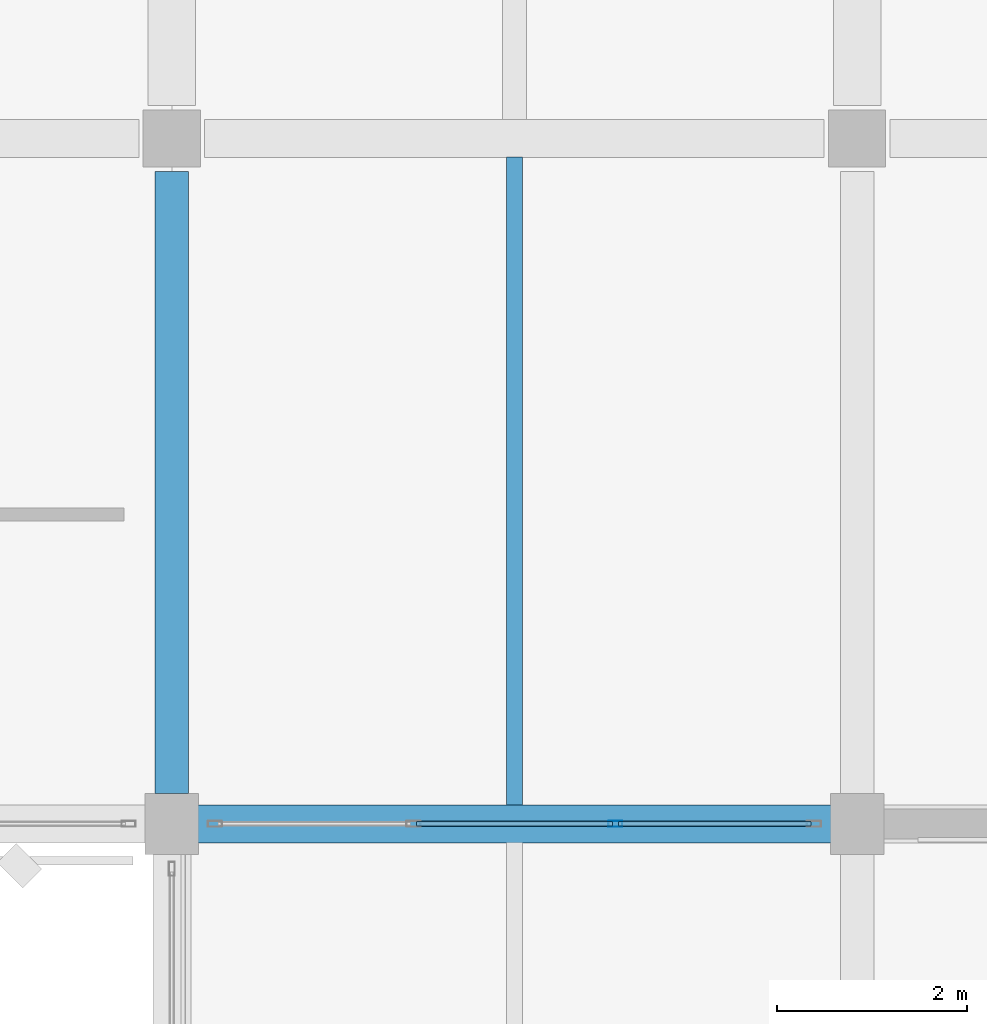
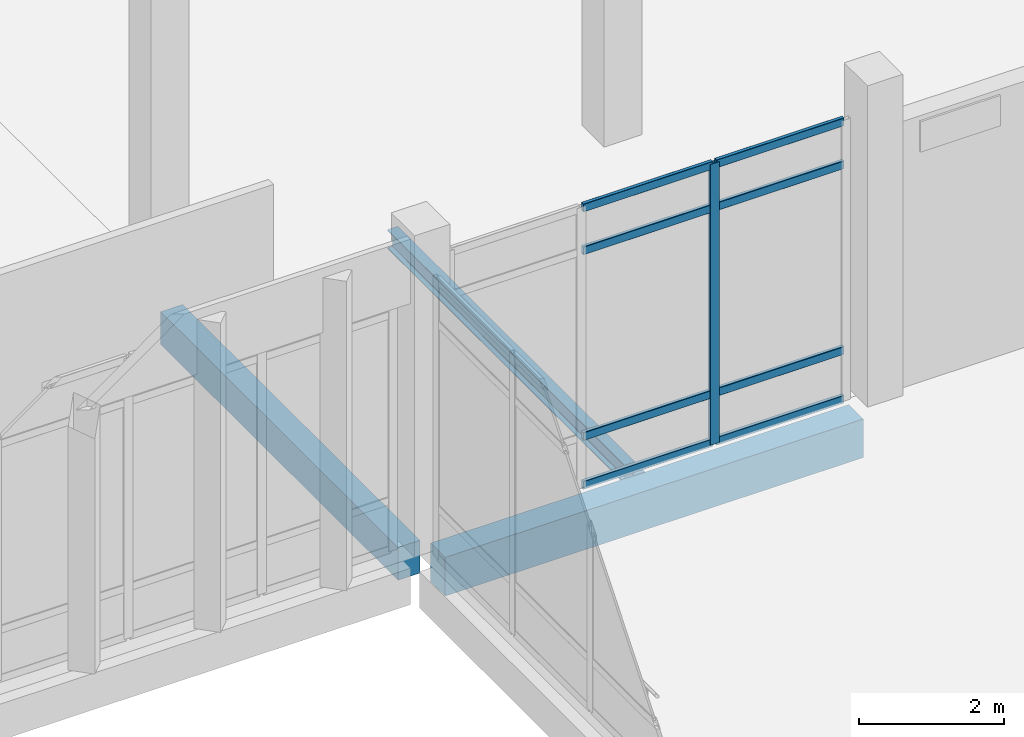
# One storey, part 91 of 180: 9 members, 3 beams, 1 element without a shape of its own.
"""IFC4 building model written with IfcOpenShell, lengths in metres."""

import ifcopenshell
import ifcopenshell.guid

model = None  # the IFC model being written
_history = None  # IfcOwnerHistory: only IFC2X3 demands one
_inside = {}  # id of a spatial element -> (the spatial element, [elements in it])
_under = {}  # id of a project, library or spatial element -> (it, [spatial elements below it])
_declared = {}  # id of a project -> (the project, [libraries it declares])
_typed = {}  # id of a type object -> (the type object, [elements of that type])
_made_of = {}  # id of a material, layer set ... -> (it, [elements and type objects made of it])


def new_model(schema):
    """Start an empty IFC model of exactly this schema.

    Asked for "IFC4X3", IfcOpenShell would pick the latest addendum, in which some entities
    have other attributes; the version numbers below select the first issue.
    IFC2X3 requires an IfcOwnerHistory on every rooted entity: one is made here for all.
    """
    global model, _history
    if schema == "IFC4X3":
        model = ifcopenshell.file(schema_version=(4, 3, 0, 0))
    else:
        model = ifcopenshell.file(schema=schema)
    _inside.clear()
    _under.clear()
    _declared.clear()
    _typed.clear()
    _made_of.clear()
    _history = None
    if model.schema == "IFC2X3":
        org = make("IfcOrganization", Name="unknown")
        user = make(
            "IfcPersonAndOrganization",
            ThePerson=make("IfcPerson", FamilyName="unknown"),
            TheOrganization=org,
        )
        app = make(
            "IfcApplication",
            ApplicationDeveloper=org,
            Version="unknown",
            ApplicationFullName="unknown",
            ApplicationIdentifier="unknown",
        )
        _history = make(
            "IfcOwnerHistory",
            OwningUser=user,
            OwningApplication=app,
            ChangeAction="ADDED",
            CreationDate=0,
        )
    return model


def make(cls, **values):
    """One entity of the class cls with the attributes given. An attribute that is None is left unset."""
    return model.create_entity(
        cls, **{name: value for name, value in values.items() if value is not None}
    )


def rooted(cls, **values):
    """An entity with a GlobalId (a new one), such as an element, a storey or a relation."""
    return make(cls, GlobalId=ifcopenshell.guid.new(), OwnerHistory=_history, **values)


def si_unit(unit_type, name, prefix=None):
    """IfcSIUnit, for example si_unit("LENGTHUNIT", "METRE", prefix="MILLI")."""
    return make("IfcSIUnit", UnitType=unit_type, Prefix=prefix, Name=name)


def assignment(units):
    """IfcUnitAssignment: the units of a project."""
    return None if units is None else make("IfcUnitAssignment", Units=units)


def point(xyz):
    """IfcCartesianPoint."""
    return None if xyz is None else make("IfcCartesianPoint", Coordinates=xyz)


def direction(xyz):
    """IfcDirection."""
    return None if xyz is None else make("IfcDirection", DirectionRatios=xyz)


def frame(location, z_axis=None, x_axis=None):
    """IfcAxis2Placement3D, a coordinate frame: its origin and axes. An axis left out is left unset."""
    return make(
        "IfcAxis2Placement3D",
        Location=point(location),
        Axis=direction(z_axis),
        RefDirection=direction(x_axis),
    )


def frame_2d(location, x_axis=None):
    """IfcAxis2Placement2D, a coordinate frame in the plane: its origin and x axis."""
    return make(
        "IfcAxis2Placement2D", Location=point(location), RefDirection=direction(x_axis)
    )


def origin():
    """The frame at (0, 0, 0) with its axes left unset."""
    return frame((0.0, 0.0, 0.0))


def origin_2d():
    """The frame at (0, 0) in the plane with its x axis left unset."""
    return frame_2d((0.0, 0.0))


def place(relative_to, where):
    """IfcLocalPlacement: puts the frame where relative to a parent placement (None: the world)."""
    return make(
        "IfcLocalPlacement", PlacementRelTo=relative_to, RelativePlacement=where
    )


def context(
    kind, dimensions, precision=None, world=None, true_north=None, identifier=None
):
    """IfcGeometricRepresentationContext, for example the 3D "Model" context."""
    return make(
        "IfcGeometricRepresentationContext",
        ContextIdentifier=identifier,
        ContextType=kind,
        CoordinateSpaceDimension=dimensions,
        Precision=precision,
        WorldCoordinateSystem=world,
        TrueNorth=true_north,
    )


def subcontext(parent, identifier, kind, view, scale=None):
    """IfcGeometricRepresentationSubContext, for example "Body" below "Model"."""
    return make(
        "IfcGeometricRepresentationSubContext",
        ContextIdentifier=identifier,
        ContextType=kind,
        ParentContext=parent,
        TargetScale=scale,
        TargetView=view,
    )


def project(units=None, contexts=None):
    """IfcProject with its units and contexts."""
    return rooted(
        "IfcProject",
        Name="project",
        RepresentationContexts=contexts,
        UnitsInContext=assignment(units),
    )


def spatial(cls, under=None, at=None, **own):
    """A site, building, storey or space (cls), placed at a placement, below another one or the project."""
    s = rooted(cls, ObjectPlacement=at, **own)
    if under is not None:
        _under.setdefault(under.id(), (under, []))[1].append(s)
    return s


def profile(cls, at=None, kind="AREA", **sizes):
    """A parametric profile (cls). Its sizes go by their IFC names, for example OverallWidth=200.0."""
    return make(cls, ProfileType=kind, Position=at, **sizes)


def rectangle(**sizes):
    """IfcRectangleProfileDef."""
    return profile("IfcRectangleProfileDef", **sizes)


def hollow_rectangle(**sizes):
    """IfcRectangleHollowProfileDef."""
    return profile("IfcRectangleHollowProfileDef", **sizes)


def i_section(**sizes):
    """IfcIShapeProfileDef."""
    return profile("IfcIShapeProfileDef", **sizes)


def extrude(swept, where, along, depth):
    """IfcExtrudedAreaSolid: the profile swept, set in the frame where, extruded along a direction by depth."""
    return make(
        "IfcExtrudedAreaSolid",
        SweptArea=swept,
        Position=where,
        ExtrudedDirection=direction(along),
        Depth=depth,
    )


def shape(context_of_items, identifier, shape_type, items):
    """IfcShapeRepresentation: the items that make up one representation, for example the "Body"."""
    return make(
        "IfcShapeRepresentation",
        ContextOfItems=context_of_items,
        RepresentationIdentifier=identifier,
        RepresentationType=shape_type,
        Items=items,
    )


def material(Name=None, Category=None):
    """IfcMaterial."""
    return make("IfcMaterial", Name=Name, Category=Category)


def material_profile(
    of_material, cross_section, Name=None, Category=None, Priority=None
):
    """IfcMaterialProfile: a cross section and its material."""
    return make(
        "IfcMaterialProfile",
        Name=Name,
        Material=of_material,
        Profile=cross_section,
        Priority=Priority,
        Category=Category,
    )


def profile_set(profiles, Name=None, composite=None):
    """IfcMaterialProfileSet."""
    return make(
        "IfcMaterialProfileSet",
        Name=Name,
        MaterialProfiles=profiles,
        CompositeProfile=composite,
    )


def made_of(thing, what):
    """Note that an element or type object is made of a material, layer set ...; save() writes the relation."""
    if what is not None:
        _made_of.setdefault(what.id(), (what, []))[1].append(thing)
    return thing


def type_object(cls, material=None, **own):
    """A type object (cls), such as IfcWallType, which elements share."""
    return made_of(rooted(cls, **own), material)


def element(
    cls,
    number,
    at=None,
    inside=None,
    cuts=None,
    type_object=None,
    material=None,
    context=None,
    identifier="Body",
    shape_type=None,
    held_by="IfcProductDefinitionShape",
    body=None,
    shapes=None,
    **own,
):
    """One element of the class cls, such as IfcWall. Its Tag is "e" and its number.

    at: its placement. inside: the storey or other place that contains it. cuts: it is an
    opening in that element (IfcRelVoidsElement). A single representation is given by context,
    identifier, shape_type and body (its items); several are given by shapes. held_by: the class
    of the entity that holds the representations. save() writes the other relations.
    """
    e = rooted(cls, Tag="e%d" % number, ObjectPlacement=at, **own)
    if body is not None:
        shapes = [shape(context, identifier, shape_type, body)]
    if shapes is not None:
        e.Representation = make(held_by, Representations=shapes)
    if inside is not None:
        _inside.setdefault(inside.id(), (inside, []))[1].append(e)
    if cuts is not None:
        rooted(
            "IfcRelVoidsElement", RelatingBuildingElement=cuts, RelatedOpeningElement=e
        )
    if type_object is not None:
        _typed.setdefault(type_object.id(), (type_object, []))[1].append(e)
    return made_of(e, material)


def aggregate(whole, parts):
    """IfcRelAggregates: a whole, such as a stair, and the parts it consists of."""
    return rooted("IfcRelAggregates", RelatingObject=whole, RelatedObjects=parts)


def save(model, path):
    """Write the relations noted so far, then the file.

    IfcRelAggregates (storeys below a building ...), IfcRelContainedInSpatialStructure (elements
    in a storey), IfcRelDefinesByType, IfcRelAssociatesMaterial and IfcRelDeclares: one each for
    every whole, place, type object, material and project.
    """
    for whole, parts in _under.values():
        aggregate(whole, parts)
    for where, things in _inside.values():
        rooted(
            "IfcRelContainedInSpatialStructure",
            RelatedElements=things,
            RelatingStructure=where,
        )
    for kind, things in _typed.values():
        rooted("IfcRelDefinesByType", RelatedObjects=things, RelatingType=kind)
    for what, things in _made_of.values():
        rooted("IfcRelAssociatesMaterial", RelatedObjects=things, RelatingMaterial=what)
    for by, libraries in _declared.values():
        rooted("IfcRelDeclares", RelatingContext=by, RelatedDefinitions=libraries)
    model.write(path)


model = new_model("IFC4")

# Units and contexts
model_context = context("Model", 3, precision=1e-05, world=origin(), true_north=direction((0.0, 1.0)))
body_context = subcontext(model_context, "Body", "Model", "MODEL_VIEW")
ifc_project = project(units=[si_unit("LENGTHUNIT", "METRE"), si_unit("AREAUNIT", "SQUARE_METRE"), si_unit("VOLUMEUNIT", "CUBIC_METRE"), si_unit("PLANEANGLEUNIT", "RADIAN"), si_unit("MASSUNIT", "GRAM", prefix="KILO")], contexts=[model_context])

# Site, building, storey
site_placement = place(None, origin())
site = spatial("IfcSite", under=ifc_project, at=site_placement, CompositionType="ELEMENT")
building_placement = place(site_placement, origin())
building = spatial("IfcBuilding", under=site, at=building_placement, Name="Lusvemor Sports Hall", CompositionType="ELEMENT")
storey_placement = place(building_placement, frame((0.0, 0.0, 5.39990234375)))
storey = spatial("IfcBuildingStorey", under=building, at=storey_placement, Name="L01", CompositionType="ELEMENT", Elevation=5.39990234375)

# Beams
ifc_material_1 = material(Name="Concrete C40/50", Category="concrete")
ifc_material_profile_1 = material_profile(ifc_material_1, rectangle(XDim=0.35009765625, YDim=0.550048828125, at=origin_2d()), Name="RC350x550")
ifc_profile_set_1 = profile_set([ifc_material_profile_1], Name="Concrete C40/50")
beam_type_1 = type_object("IfcBeamType", Name="BEAM_RC_550", PredefinedType="BEAM", material=ifc_profile_set_1)
beam_1_placement = place(storey_placement, frame((118.800048828125, 97.51611328125, -0.534912109375), z_axis=(0.0, 1.0, 0.0), x_axis=(-1.0, 0.0, 0.0)))
element("IfcBeam", 1, at=beam_1_placement, inside=storey, type_object=beam_type_1, Name="Beam L01 13:N-P", PredefinedType="BEAM", context=body_context, shape_type="SweptSolid", body=[
    extrude(rectangle(XDim=0.35009765625, YDim=0.550048828125, at=origin_2d()), origin(), (0.0, 0.0, 1.0), 6.537841796875),
])
ifc_material_2 = material(Name="Concrete C40/50", Category="concrete")
ifc_material_profile_2 = material_profile(ifc_material_2, rectangle(XDim=0.39990234375, YDim=0.64990234375, at=origin_2d()), Name="RC400x650")
ifc_profile_set_2 = profile_set([ifc_material_profile_2], Name="Concrete C40/50")
beam_type_2 = type_object("IfcBeamType", Name="BEAM_RC_650", PredefinedType="BEAM", material=ifc_profile_set_2)
beam_2_placement = place(storey_placement, frame((119.075927734375, 97.199951171875, -0.594970703125), z_axis=(1.0, 0.0, 0.0), x_axis=(0.0, 1.0, 0.0)))
element("IfcBeam", 2, at=beam_2_placement, inside=storey, type_object=beam_type_2, Name="Beam L01 N:13-14", PredefinedType="BEAM", context=body_context, shape_type="SweptSolid", body=[
    extrude(rectangle(XDim=0.39990234375, YDim=0.64990234375, at=origin_2d()), origin(), (0.0, 0.0, 1.0), 6.648193359375),
])

# Curtain wall, members
ifc_material_3 = material(Name="Thermally broken bronze-anodized aluminium", Category="aluminium")
curtain_wall_type = type_object("IfcCurtainWallType", Name="CW_WING_B", PredefinedType="NOTDEFINED", material=ifc_material_3)
curtain_wall_placement = place(storey_placement, origin())
curtain_wall = element("IfcCurtainWall", 3, at=curtain_wall_placement, inside=storey, type_object=curtain_wall_type, Name="Curtain Wall CW-L01-S-3-10", PredefinedType="NOTDEFINED")
ifc_material_4 = material(Name="Thermally broken bronze-anodized aluminium", Category="aluminium")
ifc_material_profile_3 = material_profile(ifc_material_4, hollow_rectangle(XDim=0.06494140625, YDim=0.14990234375, WallThickness=0.00390625, InnerFilletRadius=0.00390625, OuterFilletRadius=0.008056640625, at=origin_2d()), Name="CWMUL150x65x4")
ifc_profile_set_3 = profile_set([ifc_material_profile_3], Name="Thermally broken bronze-anodized aluminium")
member_type_1 = type_object("IfcMemberType", Name="CW_MUL_B", PredefinedType="MULLION", material=ifc_profile_set_3)
member_1_placement = place(storey_placement, frame((123.4599609375, 97.199951171875, 0.0), z_axis=(0.0, 0.0, 1.0), x_axis=(0.0, -1.0, 0.0)))
member_1 = element("IfcMember", 4, at=member_1_placement, type_object=member_type_1, Name="CW02 mullion 2", PredefinedType="MULLION", context=body_context, shape_type="SweptSolid", body=[
    extrude(hollow_rectangle(XDim=0.06494140625, YDim=0.14990234375, WallThickness=0.00390625, InnerFilletRadius=0.00390625, OuterFilletRadius=0.008056640625, at=origin_2d()), origin(), (0.0, 0.0, 1.0), 4.72021484375),
])
ifc_material_5 = material(Name="Thermally broken bronze-anodized aluminium", Category="aluminium")
ifc_material_profile_4 = material_profile(ifc_material_5, hollow_rectangle(XDim=0.06005859375, YDim=0.135009765625, WallThickness=0.00390625, InnerFilletRadius=0.00390625, OuterFilletRadius=0.008056640625, at=origin_2d()), Name="CWTRN135x60x4")
ifc_profile_set_4 = profile_set([ifc_material_profile_4], Name="Thermally broken bronze-anodized aluminium")
member_type_2 = type_object("IfcMemberType", Name="CW_TRN_B", PredefinedType="USERDEFINED", material=ifc_profile_set_4)
member_2_placement = place(storey_placement, frame((125.514892578125, 97.199951171875, 0.030029296875), z_axis=(-1.0, 0.0, 0.0), x_axis=(0.0, -1.0, 0.0)))
member_2 = element("IfcMember", 5, at=member_2_placement, type_object=member_type_2, Name="CW02 transom 1.1", ObjectType="TRANSOM", PredefinedType="USERDEFINED", context=body_context, shape_type="SweptSolid", body=[
    extrude(hollow_rectangle(XDim=0.06005859375, YDim=0.135009765625, WallThickness=0.00390625, InnerFilletRadius=0.00390625, OuterFilletRadius=0.008056640625, at=origin_2d()), origin(), (0.0, 0.0, 1.0), 2.0224609375),
])
member_3_placement = place(storey_placement, frame((125.514892578125, 97.199951171875, 0.85009765625), z_axis=(-1.0, 0.0, 0.0), x_axis=(0.0, -1.0, 0.0)))
member_3 = element("IfcMember", 6, at=member_3_placement, type_object=member_type_2, Name="CW02 transom 1.2", ObjectType="TRANSOM", PredefinedType="USERDEFINED", context=body_context, shape_type="SweptSolid", body=[
    extrude(hollow_rectangle(XDim=0.06005859375, YDim=0.135009765625, WallThickness=0.00390625, InnerFilletRadius=0.00390625, OuterFilletRadius=0.008056640625, at=origin_2d()), origin(), (0.0, 0.0, 1.0), 2.0224609375),
])
member_4_placement = place(storey_placement, frame((125.514892578125, 97.199951171875, 3.97021484375), z_axis=(-1.0, 0.0, 0.0), x_axis=(0.0, -1.0, 0.0)))
member_4 = element("IfcMember", 7, at=member_4_placement, type_object=member_type_2, Name="CW02 transom 1.3", ObjectType="TRANSOM", PredefinedType="USERDEFINED", context=body_context, shape_type="SweptSolid", body=[
    extrude(hollow_rectangle(XDim=0.06005859375, YDim=0.135009765625, WallThickness=0.00390625, InnerFilletRadius=0.00390625, OuterFilletRadius=0.008056640625, at=origin_2d()), origin(), (0.0, 0.0, 1.0), 2.0224609375),
])
member_5_placement = place(storey_placement, frame((125.514892578125, 97.199951171875, 4.690185546875), z_axis=(-1.0, 0.0, 0.0), x_axis=(0.0, -1.0, 0.0)))
member_5 = element("IfcMember", 8, at=member_5_placement, type_object=member_type_2, Name="CW02 transom 1.4", ObjectType="TRANSOM", PredefinedType="USERDEFINED", context=body_context, shape_type="SweptSolid", body=[
    extrude(hollow_rectangle(XDim=0.06005859375, YDim=0.135009765625, WallThickness=0.00390625, InnerFilletRadius=0.00390625, OuterFilletRadius=0.008056640625, at=origin_2d()), origin(), (0.0, 0.0, 1.0), 2.0224609375),
])
member_6_placement = place(storey_placement, frame((123.427490234375, 97.199951171875, 0.030029296875), z_axis=(-1.0, 0.0, 0.0), x_axis=(0.0, -1.0, 0.0)))
member_6 = element("IfcMember", 9, at=member_6_placement, type_object=member_type_2, Name="CW02 transom 2.1", ObjectType="TRANSOM", PredefinedType="USERDEFINED", context=body_context, shape_type="SweptSolid", body=[
    extrude(hollow_rectangle(XDim=0.06005859375, YDim=0.135009765625, WallThickness=0.00390625, InnerFilletRadius=0.00390625, OuterFilletRadius=0.008056640625, at=origin_2d()), origin(), (0.0, 0.0, 1.0), 2.054931640625),
])
member_7_placement = place(storey_placement, frame((123.427490234375, 97.199951171875, 0.85009765625), z_axis=(-1.0, 0.0, 0.0), x_axis=(0.0, -1.0, 0.0)))
member_7 = element("IfcMember", 10, at=member_7_placement, type_object=member_type_2, Name="CW02 transom 2.2", ObjectType="TRANSOM", PredefinedType="USERDEFINED", context=body_context, shape_type="SweptSolid", body=[
    extrude(hollow_rectangle(XDim=0.06005859375, YDim=0.135009765625, WallThickness=0.00390625, InnerFilletRadius=0.00390625, OuterFilletRadius=0.008056640625, at=origin_2d()), origin(), (0.0, 0.0, 1.0), 2.054931640625),
])
member_8_placement = place(storey_placement, frame((123.427490234375, 97.199951171875, 3.97021484375), z_axis=(-1.0, 0.0, 0.0), x_axis=(0.0, -1.0, 0.0)))
member_8 = element("IfcMember", 11, at=member_8_placement, type_object=member_type_2, Name="CW02 transom 2.3", ObjectType="TRANSOM", PredefinedType="USERDEFINED", context=body_context, shape_type="SweptSolid", body=[
    extrude(hollow_rectangle(XDim=0.06005859375, YDim=0.135009765625, WallThickness=0.00390625, InnerFilletRadius=0.00390625, OuterFilletRadius=0.008056640625, at=origin_2d()), origin(), (0.0, 0.0, 1.0), 2.054931640625),
])
member_9_placement = place(storey_placement, frame((123.427490234375, 97.199951171875, 4.690185546875), z_axis=(-1.0, 0.0, 0.0), x_axis=(0.0, -1.0, 0.0)))
member_9 = element("IfcMember", 12, at=member_9_placement, type_object=member_type_2, Name="CW02 transom 2.4", ObjectType="TRANSOM", PredefinedType="USERDEFINED", context=body_context, shape_type="SweptSolid", body=[
    extrude(hollow_rectangle(XDim=0.06005859375, YDim=0.135009765625, WallThickness=0.00390625, InnerFilletRadius=0.00390625, OuterFilletRadius=0.008056640625, at=origin_2d()), origin(), (0.0, 0.0, 1.0), 2.054931640625),
])
aggregate(curtain_wall, [member_1, member_2, member_3, member_4, member_5, member_6, member_7, member_8, member_9])

# Beam
ifc_material_6 = material(Name="Steel S355", Category="steel")
ifc_material_profile_5 = material_profile(ifc_material_6, i_section(OverallWidth=0.1669921875, OverallDepth=0.31689453125, WebThickness=0.007568359375, FlangeThickness=0.01318359375, FilletRadius=0.014892578125, at=origin_2d()), Name="W310x52.0")
ifc_profile_set_5 = profile_set([ifc_material_profile_5], Name="Steel S355")
beam_type_3 = type_object("IfcBeamType", Name="JOIST_ST_310M", PredefinedType="JOIST", material=ifc_profile_set_5)
beam_3_placement = place(storey_placement, frame((122.39990234375, 97.39599609375, -0.42236328125), z_axis=(0.0, 1.0, 0.0), x_axis=(-1.0, 0.0, 0.0)))
element("IfcBeam", 13, at=beam_3_placement, inside=storey, type_object=beam_type_3, Name="Secondary Joist L01 13-14/N-P #1", PredefinedType="JOIST", context=body_context, shape_type="SweptSolid", body=[
    extrude(i_section(OverallWidth=0.1669921875, OverallDepth=0.31689453125, WebThickness=0.007568359375, FlangeThickness=0.01318359375, FilletRadius=0.014892578125, at=origin_2d()), origin(), (0.0, 0.0, 1.0), 6.80810546875),
])

save(model, "model.ifc")
